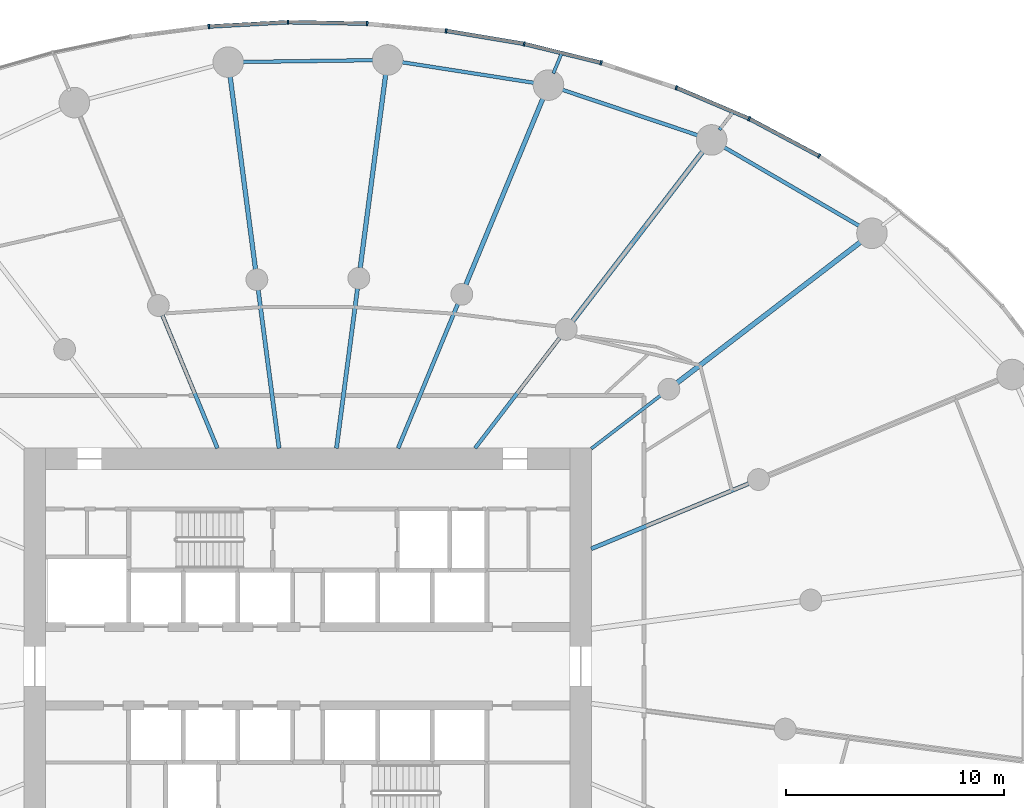
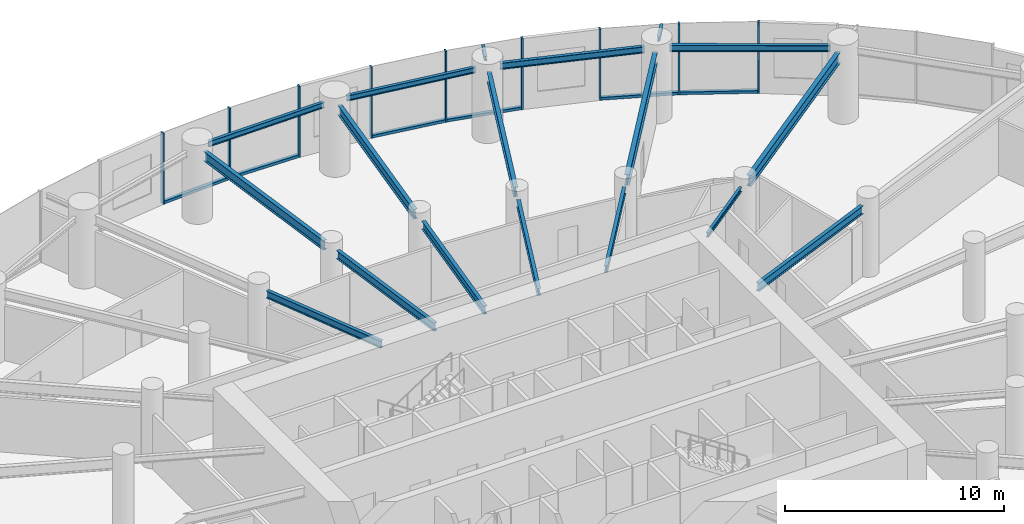
# One storey, part 7 of 19: 18 beams, 15 members, 2 elements without a shape of their own.
"""IFC4 building model written with IfcOpenShell, lengths in metres."""

from ifc_helpers import new_model, si_unit, direction, frame, origin, origin_2d, place, context, subcontext, project, spatial, rectangle, i_section, extrude, source, transform, mapped, material, layer, layer_set, material_profile, profile_set, type_object, element, aggregate, save


model = new_model("IFC4")

# Units and contexts
model_context = context("Model", 3, precision=1e-05, world=origin(), true_north=direction((0.0, 1.0)))
body_context = subcontext(model_context, "Body", "Model", "MODEL_VIEW")
ifc_project = project(units=[si_unit("LENGTHUNIT", "METRE"), si_unit("AREAUNIT", "SQUARE_METRE"), si_unit("VOLUMEUNIT", "CUBIC_METRE"), si_unit("PLANEANGLEUNIT", "RADIAN"), si_unit("MASSUNIT", "GRAM", prefix="KILO")], contexts=[model_context])

# Site, building, storey
site_placement = place(None, origin())
site = spatial("IfcSite", under=ifc_project, at=site_placement, CompositionType="ELEMENT")
building_placement = place(site_placement, origin())
building = spatial("IfcBuilding", under=site, at=building_placement, Name="Spindrift Exchange Tower", CompositionType="ELEMENT")
storey_placement = place(building_placement, frame((0.0, 0.0, 22.60009765625)))
storey = spatial("IfcBuildingStorey", under=building, at=storey_placement, Name="L05", CompositionType="ELEMENT", Elevation=22.60009765625)

# Beams
ifc_material_1 = material(Name="Steel Grade 300", Category="steel")
ifc_material_profile_1 = material_profile(ifc_material_1, i_section(OverallWidth=0.18994140625, OverallDepth=0.45703125, WebThickness=0.009033203125, FlangeThickness=0.014404296875, FilletRadius=0.013916015625, at=origin_2d()), Name="460UB74.6")
ifc_profile_set_1 = profile_set([ifc_material_profile_1], Name="Steel Grade 300")
beam_type_1 = type_object("IfcBeamType", Name="Floor Beam 460UB74.6 Steel Grade 300", PredefinedType="BEAM", material=ifc_profile_set_1)
shared_shape_1 = source(origin(), body_context, "Body", "SweptSolid", [
    extrude(i_section(OverallWidth=0.18994140625, OverallDepth=0.45703125, WebThickness=0.009033203125, FlangeThickness=0.014404296875, FilletRadius=0.013916015625, at=origin_2d()), origin(), (0.0, 0.0, 1.0), 7.808837890625),
])
beam_1_placement = place(storey_placement, frame((64.9814453125, 53.377197265625, 3.721435546875), z_axis=(0.92387965154, 0.382683145003, 0.0), x_axis=(-0.382683145003, 0.92387965154, 0.0)))
element("IfcBeam", 1, at=beam_1_placement, inside=storey, type_object=beam_type_1, Name="L05 radial beam R02A", PredefinedType="BEAM", context=body_context, shape_type="MappedRepresentation", body=[
    mapped(shared_shape_1, transform((0.0, 0.0, 0.0), scale=1.0)),
])
ifc_material_profile_2 = material_profile(ifc_material_1, i_section(OverallWidth=0.14599609375, OverallDepth=0.251953125, WebThickness=0.006103515625, FlangeThickness=0.008544921875, FilletRadius=0.011962890625, at=origin_2d()), Name="250UB31.4")
ifc_profile_set_2 = profile_set([ifc_material_profile_2], Name="Steel Grade 300")
beam_type_2 = type_object("IfcBeamType", Name="Floor Beam 250UB31.4 Steel Grade 300", PredefinedType="BEAM", material=ifc_profile_set_2)
shared_shape_2 = source(origin(), body_context, "Body", "SweptSolid", [
    extrude(i_section(OverallWidth=0.14599609375, OverallDepth=0.251953125, WebThickness=0.006103515625, FlangeThickness=0.008544921875, FilletRadius=0.011962890625, at=origin_2d()), origin(), (0.0, 0.0, 1.0), 3.99560546875),
])
beam_2_placement = place(storey_placement, frame((64.984130859375, 57.963134765625, 3.823974609375), z_axis=(0.793352561574, 0.608762443851, 0.0), x_axis=(-0.608762443851, 0.793352561574, 0.0)))
element("IfcBeam", 2, at=beam_2_placement, inside=storey, type_object=beam_type_2, Name="L05 radial beam R03A", PredefinedType="BEAM", context=body_context, shape_type="MappedRepresentation", body=[
    mapped(shared_shape_2, transform((0.0, 0.0, 0.0), scale=1.0)),
])
ifc_material_profile_3 = material_profile(ifc_material_1, i_section(OverallWidth=0.22802734375, OverallDepth=0.60693359375, WebThickness=0.01123046875, FlangeThickness=0.017333984375, FilletRadius=0.013916015625, at=origin_2d()), Name="610UB113")
ifc_profile_set_3 = profile_set([ifc_material_profile_3], Name="Steel Grade 300")
beam_type_3 = type_object("IfcBeamType", Name="Floor Beam 610UB113 Steel Grade 300", PredefinedType="BEAM", material=ifc_profile_set_3)
shared_shape_3 = source(origin(), body_context, "Body", "SweptSolid", [
    extrude(i_section(OverallWidth=0.22802734375, OverallDepth=0.60693359375, WebThickness=0.01123046875, FlangeThickness=0.017333984375, FilletRadius=0.013916015625, at=origin_2d()), origin(), (0.0, 0.0, 1.0), 10.66357421875),
])
beam_3_placement = place(storey_placement, frame((68.91552734375, 60.979736328125, 3.646484375), z_axis=(0.793357926757, 0.608755451764, 0.0), x_axis=(-0.608755451764, 0.793357926757, 0.0)))
element("IfcBeam", 3, at=beam_3_placement, inside=storey, type_object=beam_type_3, Name="L05 radial beam R03B", PredefinedType="BEAM", context=body_context, shape_type="MappedRepresentation", body=[
    mapped(shared_shape_3, transform((0.0, 0.0, 0.0), scale=1.0)),
])
ifc_material_profile_4 = material_profile(ifc_material_1, i_section(OverallWidth=0.172119140625, OverallDepth=0.35888671875, WebThickness=0.008056640625, FlangeThickness=0.012939453125, FilletRadius=0.013916015625, at=origin_2d()), Name="360UB56.7")
ifc_profile_set_4 = profile_set([ifc_material_profile_4], Name="Steel Grade 300")
beam_type_4 = type_object("IfcBeamType", Name="Floor Beam 360UB56.7 Steel Grade 300", PredefinedType="BEAM", material=ifc_profile_set_4)
shared_shape_4 = source(origin(), body_context, "Body", "SweptSolid", [
    extrude(i_section(OverallWidth=0.172119140625, OverallDepth=0.35888671875, WebThickness=0.008056640625, FlangeThickness=0.012939453125, FilletRadius=0.013916015625, at=origin_2d()), origin(), (0.0, 0.0, 1.0), 6.37646484375),
])
beam_4_placement = place(storey_placement, frame((59.6611328125, 57.984130859375, 3.7705078125), z_axis=(0.608766669952, 0.793349318747, 0.0), x_axis=(-0.793349318747, 0.608766669952, 0.0)))
element("IfcBeam", 4, at=beam_4_placement, inside=storey, type_object=beam_type_4, Name="L05 radial beam R04A", PredefinedType="BEAM", context=body_context, shape_type="MappedRepresentation", body=[
    mapped(shared_shape_4, transform((0.0, 0.0, 0.0), scale=1.0)),
])
shared_shape_5 = source(origin(), body_context, "Body", "SweptSolid", [
    extrude(i_section(OverallWidth=0.22802734375, OverallDepth=0.60693359375, WebThickness=0.01123046875, FlangeThickness=0.017333984375, FilletRadius=0.013916015625, at=origin_2d()), origin(), (0.0, 0.0, 1.0), 9.87548828125),
])
beam_5_placement = place(storey_placement, frame((64.127197265625, 63.8046875, 3.646484375), z_axis=(0.608772470836, 0.793344867477, 0.0), x_axis=(-0.793344867477, 0.608772470836, 0.0)))
element("IfcBeam", 5, at=beam_5_placement, inside=storey, type_object=beam_type_3, Name="L05 radial beam R04B", PredefinedType="BEAM", context=body_context, shape_type="MappedRepresentation", body=[
    mapped(shared_shape_5, transform((0.0, 0.0, 0.0), scale=1.0)),
])
ifc_material_profile_5 = material_profile(ifc_material_1, i_section(OverallWidth=0.177978515625, OverallDepth=0.406005859375, WebThickness=0.0078125, FlangeThickness=0.0126953125, FilletRadius=0.013916015625, at=origin_2d()), Name="410UB59.7")
ifc_profile_set_5 = profile_set([ifc_material_profile_5], Name="Steel Grade 300")
beam_type_5 = type_object("IfcBeamType", Name="Floor Beam 410UB59.7 Steel Grade 300", PredefinedType="BEAM", material=ifc_profile_set_5)
shared_shape_6 = source(origin(), body_context, "Body", "SweptSolid", [
    extrude(i_section(OverallWidth=0.177978515625, OverallDepth=0.406005859375, WebThickness=0.0078125, FlangeThickness=0.0126953125, FilletRadius=0.013916015625, at=origin_2d()), origin(), (0.0, 0.0, 1.0), 7.150634765625),
])
beam_6_placement = place(storey_placement, frame((56.134521484375, 57.9814453125, 3.746826171875), z_axis=(0.382665393358, 0.923887004306, 0.0), x_axis=(-0.923887004306, 0.382665393358, 0.0)))
element("IfcBeam", 6, at=beam_6_placement, inside=storey, type_object=beam_type_5, Name="L05 radial beam R05A", PredefinedType="BEAM", context=body_context, shape_type="MappedRepresentation", body=[
    mapped(shared_shape_6, transform((0.0, 0.0, 0.0), scale=1.0)),
])
ifc_material_profile_6 = material_profile(ifc_material_1, i_section(OverallWidth=0.208984375, OverallDepth=0.532958984375, WebThickness=0.01025390625, FlangeThickness=0.015625, FilletRadius=0.013916015625, at=origin_2d()), Name="530UB92.4")
ifc_profile_set_6 = profile_set([ifc_material_profile_6], Name="Steel Grade 300")
beam_type_6 = type_object("IfcBeamType", Name="Floor Beam 530UB92.4 Steel Grade 300", PredefinedType="BEAM", material=ifc_profile_set_6)
shared_shape_7 = source(origin(), body_context, "Body", "SweptSolid", [
    extrude(i_section(OverallWidth=0.208984375, OverallDepth=0.532958984375, WebThickness=0.01025390625, FlangeThickness=0.015625, FilletRadius=0.013916015625, at=origin_2d()), origin(), (0.0, 0.0, 1.0), 9.309326171875),
])
beam_7_placement = place(storey_placement, frame((59.23828125, 65.474853515625, 3.683349609375), z_axis=(0.382685326691, 0.923878747853, 0.0), x_axis=(-0.923878747853, 0.382685326691, 0.0)))
element("IfcBeam", 7, at=beam_7_placement, inside=storey, type_object=beam_type_6, Name="L05 radial beam R05B", PredefinedType="BEAM", context=body_context, shape_type="MappedRepresentation", body=[
    mapped(shared_shape_7, transform((0.0, 0.0, 0.0), scale=1.0)),
])
shared_shape_8 = source(origin(), body_context, "Body", "SweptSolid", [
    extrude(i_section(OverallWidth=0.18994140625, OverallDepth=0.45703125, WebThickness=0.009033203125, FlangeThickness=0.014404296875, FilletRadius=0.013916015625, at=origin_2d()), origin(), (0.0, 0.0, 1.0), 7.374267578125),
])
beam_8_placement = place(storey_placement, frame((53.31396484375, 57.980224609375, 3.721435546875), z_axis=(0.130539295622, 0.99144313619, 0.0), x_axis=(-0.99144313619, 0.130539295622, 0.0)))
element("IfcBeam", 8, at=beam_8_placement, inside=storey, type_object=beam_type_1, Name="L05 radial beam R06A", PredefinedType="BEAM", context=body_context, shape_type="MappedRepresentation", body=[
    mapped(shared_shape_8, transform((0.0, 0.0, 0.0), scale=1.0)),
])
shared_shape_9 = source(origin(), body_context, "Body", "SweptSolid", [
    extrude(i_section(OverallWidth=0.208984375, OverallDepth=0.532958984375, WebThickness=0.01025390625, FlangeThickness=0.015625, FilletRadius=0.013916015625, at=origin_2d()), origin(), (0.0, 0.0, 1.0), 9.020263671875),
])
beam_9_placement = place(storey_placement, frame((54.40185546875, 66.2431640625, 3.683349609375), z_axis=(0.13051122338, 0.991446831944, 0.0), x_axis=(-0.991446831944, 0.13051122338, 0.0)))
element("IfcBeam", 9, at=beam_9_placement, inside=storey, type_object=beam_type_6, Name="L05 radial beam R06B", PredefinedType="BEAM", context=body_context, shape_type="MappedRepresentation", body=[
    mapped(shared_shape_9, transform((0.0, 0.0, 0.0), scale=1.0)),
])
shared_shape_10 = source(origin(), body_context, "Body", "SweptSolid", [
    extrude(i_section(OverallWidth=0.18994140625, OverallDepth=0.45703125, WebThickness=0.009033203125, FlangeThickness=0.014404296875, FilletRadius=0.013916015625, at=origin_2d()), origin(), (0.0, 0.0, 1.0), 7.3095703125),
])
beam_10_placement = place(storey_placement, frame((50.68603515625, 57.980224609375, 3.721435546875), z_axis=(-0.130527087244, 0.991444743541, 0.0), x_axis=(-0.991444743541, -0.130527087244, 0.0)))
element("IfcBeam", 10, at=beam_10_placement, inside=storey, type_object=beam_type_1, Name="L05 radial beam R07A", PredefinedType="BEAM", context=body_context, shape_type="MappedRepresentation", body=[
    mapped(shared_shape_10, transform((0.0, 0.0, 0.0), scale=1.0)),
])
shared_shape_11 = source(origin(), body_context, "Body", "SweptSolid", [
    extrude(i_section(OverallWidth=0.208984375, OverallDepth=0.532958984375, WebThickness=0.01025390625, FlangeThickness=0.015625, FilletRadius=0.013916015625, at=origin_2d()), origin(), (0.0, 0.0, 1.0), 8.98388671875),
])
beam_11_placement = place(storey_placement, frame((49.606689453125, 66.17919921875, 3.683349609375), z_axis=(-0.130524106785, 0.991445135924, 0.0), x_axis=(-0.991445135924, -0.130524106785, 0.0)))
element("IfcBeam", 11, at=beam_11_placement, inside=storey, type_object=beam_type_6, Name="L05 radial beam R07B", PredefinedType="BEAM", context=body_context, shape_type="MappedRepresentation", body=[
    mapped(shared_shape_11, transform((0.0, 0.0, 0.0), scale=1.0)),
])
shared_shape_12 = source(origin(), body_context, "Body", "SweptSolid", [
    extrude(i_section(OverallWidth=0.177978515625, OverallDepth=0.406005859375, WebThickness=0.0078125, FlangeThickness=0.0126953125, FilletRadius=0.013916015625, at=origin_2d()), origin(), (0.0, 0.0, 1.0), 6.594482421875),
])
beam_12_placement = place(storey_placement, frame((47.865478515625, 57.9814453125, 3.746826171875), z_axis=(-0.382692929746, 0.92387559851, 0.0), x_axis=(-0.92387559851, -0.382692929746, 0.0)))
element("IfcBeam", 12, at=beam_12_placement, inside=storey, type_object=beam_type_5, Name="L05 radial beam R08A", PredefinedType="BEAM", context=body_context, shape_type="MappedRepresentation", body=[
    mapped(shared_shape_12, transform((0.0, 0.0, 0.0), scale=1.0)),
])
ifc_material_profile_7 = material_profile(ifc_material_1, i_section(OverallWidth=0.172119140625, OverallDepth=0.35888671875, WebThickness=0.008056640625, FlangeThickness=0.012939453125, FilletRadius=0.013916015625, at=origin_2d()), Name="360UB56.7")
ifc_profile_set_7 = profile_set([ifc_material_profile_7], Name="Steel Grade 300")
beam_type_7 = type_object("IfcBeamType", Name="Edge Beam 360UB56.7 Steel Grade 300", PredefinedType="SPANDREL", material=ifc_profile_set_7)
shared_shape_13 = source(origin(), body_context, "Body", "SweptSolid", [
    extrude(i_section(OverallWidth=0.172119140625, OverallDepth=0.35888671875, WebThickness=0.008056640625, FlangeThickness=0.012939453125, FilletRadius=0.013916015625, at=origin_2d()), origin(), (0.0, 0.0, 1.0), 7.33740234375),
])
beam_13_placement = place(storey_placement, frame((77.33447265625, 68.1162109375, 3.7705078125), z_axis=(-0.864211826308, 0.503128134047, 0.0), x_axis=(-0.503128134047, -0.864211826308, 0.0)))
element("IfcBeam", 13, at=beam_13_placement, inside=storey, type_object=beam_type_7, Name="L05 edge beam E03", PredefinedType="SPANDREL", context=body_context, shape_type="MappedRepresentation", body=[
    mapped(shared_shape_13, transform((0.0, 0.0, 0.0), scale=1.0)),
])
shared_shape_14 = source(origin(), body_context, "Body", "SweptSolid", [
    extrude(i_section(OverallWidth=0.172119140625, OverallDepth=0.35888671875, WebThickness=0.008056640625, FlangeThickness=0.012939453125, FilletRadius=0.013916015625, at=origin_2d()), origin(), (0.0, 0.0, 1.0), 6.72021484375),
])
beam_14_placement = place(storey_placement, frame((69.9423828125, 72.28466796875, 3.7705078125), z_axis=(-0.947851749681, 0.318711563372, 0.0), x_axis=(-0.318711563372, -0.947851749681, 0.0)))
element("IfcBeam", 14, at=beam_14_placement, inside=storey, type_object=beam_type_7, Name="L05 edge beam E04", PredefinedType="SPANDREL", context=body_context, shape_type="MappedRepresentation", body=[
    mapped(shared_shape_14, transform((0.0, 0.0, 0.0), scale=1.0)),
])
ifc_material_profile_8 = material_profile(ifc_material_1, i_section(OverallWidth=0.1650390625, OverallDepth=0.303955078125, WebThickness=0.006103515625, FlangeThickness=0.01025390625, FilletRadius=0.011474609375, at=origin_2d()), Name="310UB40.4")
ifc_profile_set_8 = profile_set([ifc_material_profile_8], Name="Steel Grade 300")
beam_type_8 = type_object("IfcBeamType", Name="Edge Beam 310UB40.4 Steel Grade 300", PredefinedType="SPANDREL", material=ifc_profile_set_8)
shared_shape_15 = source(origin(), body_context, "Body", "SweptSolid", [
    extrude(i_section(OverallWidth=0.1650390625, OverallDepth=0.303955078125, WebThickness=0.006103515625, FlangeThickness=0.01025390625, FilletRadius=0.011474609375, at=origin_2d()), origin(), (0.0, 0.0, 1.0), 6.297119140625),
])
beam_15_placement = place(storey_placement, frame((62.44970703125, 74.70068359375, 3.7978515625), z_axis=(-0.98802902915, 0.154268070436, 0.0), x_axis=(-0.154268070436, -0.98802902915, 0.0)))
element("IfcBeam", 15, at=beam_15_placement, inside=storey, type_object=beam_type_8, Name="L05 edge beam E05", PredefinedType="SPANDREL", context=body_context, shape_type="MappedRepresentation", body=[
    mapped(shared_shape_15, transform((0.0, 0.0, 0.0), scale=1.0)),
])
shared_shape_16 = source(origin(), body_context, "Body", "SweptSolid", [
    extrude(i_section(OverallWidth=0.1650390625, OverallDepth=0.303955078125, WebThickness=0.006103515625, FlangeThickness=0.01025390625, FilletRadius=0.011474609375, at=origin_2d()), origin(), (0.0, 0.0, 1.0), 6.13720703125),
])
beam_16_placement = place(storey_placement, frame((55.074951171875, 75.75341796875, 3.7978515625), z_axis=(-0.999905820907, -0.013724041543, 0.0), x_axis=(0.013724041543, -0.999905820907, 0.0)))
element("IfcBeam", 16, at=beam_16_placement, inside=storey, type_object=beam_type_8, Name="L05 edge beam E06", PredefinedType="SPANDREL", context=body_context, shape_type="MappedRepresentation", body=[
    mapped(shared_shape_16, transform((0.0, 0.0, 0.0), scale=1.0)),
])
ifc_material_profile_9 = material_profile(ifc_material_1, i_section(OverallWidth=0.14599609375, OverallDepth=0.251953125, WebThickness=0.006103515625, FlangeThickness=0.008544921875, FilletRadius=0.011962890625, at=origin_2d()), Name="250UB31.4")
ifc_profile_set_9 = profile_set([ifc_material_profile_9], Name="Steel Grade 300")
beam_type_9 = type_object("IfcBeamType", Name="Cantilever Beam 250UB31.4 Steel Grade 300", PredefinedType="BEAM", material=ifc_profile_set_9)
shared_shape_17 = source(origin(), body_context, "Body", "SweptSolid", [
    extrude(i_section(OverallWidth=0.14599609375, OverallDepth=0.251953125, WebThickness=0.006103515625, FlangeThickness=0.008544921875, FilletRadius=0.011962890625, at=origin_2d()), origin(), (0.0, 0.0, 1.0), 1.085205078125),
])
beam_17_placement = place(storey_placement, frame((70.845458984375, 72.559814453125, 3.823974609375), z_axis=(0.608710133529, 0.793392698063, 0.0), x_axis=(-0.793392698063, 0.608710133529, 0.0)))
element("IfcBeam", 17, at=beam_17_placement, inside=storey, type_object=beam_type_9, Name="L05 cantilever beam R04T", PredefinedType="BEAM", context=body_context, shape_type="MappedRepresentation", body=[
    mapped(shared_shape_17, transform((0.0, 0.0, 0.0), scale=1.0)),
])
shared_shape_18 = source(origin(), body_context, "Body", "SweptSolid", [
    extrude(i_section(OverallWidth=0.14599609375, OverallDepth=0.251953125, WebThickness=0.006103515625, FlangeThickness=0.008544921875, FilletRadius=0.011962890625, at=origin_2d()), origin(), (0.0, 0.0, 1.0), 0.9697265625),
])
beam_18_placement = place(storey_placement, frame((63.244873046875, 75.147216796875, 3.823974609375), z_axis=(0.382433327803, 0.923983089556, 0.0), x_axis=(-0.923983089556, 0.382433327803, 0.0)))
element("IfcBeam", 18, at=beam_18_placement, inside=storey, type_object=beam_type_9, Name="L05 cantilever beam R05T", PredefinedType="BEAM", context=body_context, shape_type="MappedRepresentation", body=[
    mapped(shared_shape_18, transform((0.0, 0.0, 0.0), scale=1.0)),
])

# Curtain wall, members
ifc_material_2 = material(Name="Fritted laminated glass with bronze frame", Category="glass")
ifc_layer = layer(ifc_material_2, 0.199951171875)
ifc_layer_set = layer_set([ifc_layer], Name="ZONE 1 BRONZE FRITTED WALL")
curtain_wall_type = type_object("IfcCurtainWallType", Name="ZONE 1 BRONZE FRITTED WALL", PredefinedType="NOTDEFINED", material=ifc_layer_set)
curtain_wall_1_placement = place(storey_placement, origin())
curtain_wall_1 = element("IfcCurtainWall", 19, at=curtain_wall_1_placement, inside=storey, type_object=curtain_wall_type, Name="L05 Zone 1 Bronze Fritted Wall run 2", PredefinedType="NOTDEFINED")
ifc_material_3 = material(Name="Bronze anodised aluminium", Category="aluminium")
ifc_material_profile_10 = material_profile(ifc_material_3, rectangle(XDim=0.080078125, YDim=0.199951171875, at=origin_2d()), Name="ZONE 1 BRONZE FRITTED WALL MULLION 80X200")
ifc_profile_set_10 = profile_set([ifc_material_profile_10], Name="Bronze anodised aluminium")
member_type_1 = type_object("IfcMemberType", Name="ZONE 1 BRONZE FRITTED WALL MULLION 80X200", PredefinedType="MULLION", material=ifc_profile_set_10)
shared_shape_19 = source(origin(), body_context, "Body", "SweptSolid", [
    extrude(rectangle(XDim=0.080078125, YDim=0.199951171875, at=origin_2d()), origin(), (0.0, 0.0, 1.0), 3.949951171875),
])
member_1_placement = place(storey_placement, frame((75.41357421875, 71.364013671875, 0.0), z_axis=(0.0, 0.0, 1.0), x_axis=(-0.859576504333, 0.511007077445, 0.0)))
member_1 = element("IfcMember", 20, at=member_1_placement, type_object=member_type_1, Name="L05 mullion CW-1.9", PredefinedType="MULLION", context=body_context, shape_type="MappedRepresentation", body=[
    mapped(shared_shape_19, transform((0.0, 0.0, 0.0), scale=1.0)),
])
member_2_placement = place(storey_placement, frame((72.212890625, 73.06982421875, 0.0), z_axis=(0.0, 0.0, 1.0), x_axis=(-0.902161476757, 0.431398504697, 0.0)))
member_2 = element("IfcMember", 21, at=member_2_placement, type_object=member_type_1, Name="L05 mullion CW-1.10", PredefinedType="MULLION", context=body_context, shape_type="MappedRepresentation", body=[
    mapped(shared_shape_19, transform((0.0, 0.0, 0.0), scale=1.0)),
])
member_3_placement = place(storey_placement, frame((68.87548828125, 74.490478515625, 0.0), z_axis=(0.0, 0.0, 1.0), x_axis=(-0.935479053245, 0.353382145757, 0.0)))
member_3 = element("IfcMember", 22, at=member_3_placement, type_object=member_type_1, Name="L05 mullion CW-1.11", PredefinedType="MULLION", context=body_context, shape_type="MappedRepresentation", body=[
    mapped(shared_shape_19, transform((0.0, 0.0, 0.0), scale=1.0)),
])
member_4_placement = place(storey_placement, frame((65.43212890625, 75.63134765625, 0.0), z_axis=(0.0, 0.0, 1.0), x_axis=(-0.960884228784, 0.276950354529, 0.0)))
member_4 = element("IfcMember", 23, at=member_4_placement, type_object=member_type_1, Name="L05 mullion CW-1.12", PredefinedType="MULLION", context=body_context, shape_type="MappedRepresentation", body=[
    mapped(shared_shape_19, transform((0.0, 0.0, 0.0), scale=1.0)),
])

curtain_wall_2_placement = place(storey_placement, origin())
curtain_wall_2 = element("IfcCurtainWall", 24, at=curtain_wall_2_placement, inside=storey, type_object=curtain_wall_type, Name="L05 Zone 1 Bronze Fritted Wall run 3", PredefinedType="NOTDEFINED")
member_5_placement = place(storey_placement, frame((61.909912109375, 76.498046875, 0.0), z_axis=(0.0, 0.0, 1.0), x_axis=(-0.979401994685, 0.201920114915, 0.0)))
member_5 = element("IfcMember", 25, at=member_5_placement, type_object=member_type_1, Name="L05 mullion CW-1.13", PredefinedType="MULLION", context=body_context, shape_type="MappedRepresentation", body=[
    mapped(shared_shape_19, transform((0.0, 0.0, 0.0), scale=1.0)),
])
member_6_placement = place(storey_placement, frame((58.33203125, 77.09521484375, 0.0), z_axis=(0.0, 0.0, 1.0), x_axis=(-0.991779042534, 0.127962224075, 0.0)))
member_6 = element("IfcMember", 26, at=member_6_placement, type_object=member_type_1, Name="L05 mullion CW-1.14", PredefinedType="MULLION", context=body_context, shape_type="MappedRepresentation", body=[
    mapped(shared_shape_19, transform((0.0, 0.0, 0.0), scale=1.0)),
])
member_7_placement = place(storey_placement, frame((54.7197265625, 77.42578125, 0.0), z_axis=(0.0, 0.0, 1.0), x_axis=(-0.998502626093, 0.054703799552, 0.0)))
member_7 = element("IfcMember", 27, at=member_7_placement, type_object=member_type_1, Name="L05 mullion CW-1.15", PredefinedType="MULLION", context=body_context, shape_type="MappedRepresentation", body=[
    mapped(shared_shape_19, transform((0.0, 0.0, 0.0), scale=1.0)),
])
member_8_placement = place(storey_placement, frame((51.093017578125, 77.49169921875, 0.0), z_axis=(0.0, 0.0, 1.0), x_axis=(-0.999833990796, -0.018220616052, 0.0)))
member_8 = element("IfcMember", 28, at=member_8_placement, type_object=member_type_1, Name="L05 mullion CW-1.16", PredefinedType="MULLION", context=body_context, shape_type="MappedRepresentation", body=[
    mapped(shared_shape_19, transform((0.0, 0.0, 0.0), scale=1.0)),
])
member_9_placement = place(storey_placement, frame((47.470947265625, 77.293701171875, 0.0), z_axis=(0.0, 0.0, 1.0), x_axis=(-0.995826086123, -0.09127105892, 0.0)))
member_9 = element("IfcMember", 29, at=member_9_placement, type_object=member_type_1, Name="L05 mullion CW-1.17", PredefinedType="MULLION", context=body_context, shape_type="MappedRepresentation", body=[
    mapped(shared_shape_19, transform((0.0, 0.0, 0.0), scale=1.0)),
])

# Member
ifc_material_profile_11 = material_profile(ifc_material_3, rectangle(XDim=0.179931640625, YDim=0.14990234375, at=origin_2d()), Name="ZONE 1 BRONZE FRITTED WALL TRANSOM 180X150")
ifc_profile_set_11 = profile_set([ifc_material_profile_11], Name="Bronze anodised aluminium")
member_type_2 = type_object("IfcMemberType", Name="ZONE 1 BRONZE FRITTED WALL TRANSOM 180X150", PredefinedType="USERDEFINED", material=ifc_profile_set_11)
shared_shape_20 = source(origin(), body_context, "Body", "SweptSolid", [
    extrude(rectangle(XDim=0.179931640625, YDim=0.14990234375, at=origin_2d()), origin(), (0.0, 0.0, 1.0), 3.546875),
])
member_10_placement = place(storey_placement, frame((75.378173828125, 71.3828125, 0.074951171875), z_axis=(-0.882491995187, 0.470327416201, 0.0), x_axis=(-0.470327416201, -0.882491995187, 0.0)))
member_10 = element("IfcMember", 30, at=member_10_placement, type_object=member_type_2, Name="L05 transom CW-1.9", ObjectType="TRANSOM", PredefinedType="USERDEFINED", context=body_context, shape_type="MappedRepresentation", body=[
    mapped(shared_shape_20, transform((0.0, 0.0, 0.0), scale=1.0)),
])

shared_shape_21 = source(origin(), body_context, "Body", "SweptSolid", [
    extrude(rectangle(XDim=0.179931640625, YDim=0.14990234375, at=origin_2d()), origin(), (0.0, 0.0, 1.0), 3.54736328125),
])
member_11_placement = place(storey_placement, frame((72.176025390625, 73.08544921875, 0.074951171875), z_axis=(-0.920103451881, 0.39167542409, 0.0), x_axis=(-0.39167542409, -0.920103451881, 0.0)))
member_11 = element("IfcMember", 31, at=member_11_placement, type_object=member_type_2, Name="L05 transom CW-1.10", ObjectType="TRANSOM", PredefinedType="USERDEFINED", context=body_context, shape_type="MappedRepresentation", body=[
    mapped(shared_shape_21, transform((0.0, 0.0, 0.0), scale=1.0)),
])

member_12_placement = place(storey_placement, frame((65.393310546875, 75.640869140625, 0.074951171875), z_axis=(-0.971030604405, 0.238955153341, 0.0), x_axis=(-0.238955153341, -0.971030604405, 0.0)))
member_12 = element("IfcMember", 32, at=member_12_placement, type_object=member_type_2, Name="L05 transom CW-1.12", ObjectType="TRANSOM", PredefinedType="USERDEFINED", context=body_context, shape_type="MappedRepresentation", body=[
    mapped(shared_shape_21, transform((0.0, 0.0, 0.0), scale=1.0)),
])

aggregate(curtain_wall_1, [member_1, member_10, member_2, member_11, member_3, member_4, member_12])

member_13_placement = place(storey_placement, frame((61.87060546875, 76.504638671875, 0.074951171875), z_axis=(-0.986356697505, 0.164622189536, 0.0), x_axis=(-0.164622189536, -0.986356697505, 0.0)))
member_13 = element("IfcMember", 33, at=member_13_placement, type_object=member_type_2, Name="L05 transom CW-1.13", ObjectType="TRANSOM", PredefinedType="USERDEFINED", context=body_context, shape_type="MappedRepresentation", body=[
    mapped(shared_shape_21, transform((0.0, 0.0, 0.0), scale=1.0)),
])

member_14_placement = place(storey_placement, frame((51.052978515625, 77.489501953125, 0.074951171875), z_axis=(-0.99850950861, -0.054578028696, 0.0), x_axis=(0.054578028696, -0.99850950861, 0.0)))
member_14 = element("IfcMember", 34, at=member_14_placement, type_object=member_type_2, Name="L05 transom CW-1.16", ObjectType="TRANSOM", PredefinedType="USERDEFINED", context=body_context, shape_type="MappedRepresentation", body=[
    mapped(shared_shape_21, transform((0.0, 0.0, 0.0), scale=1.0)),
])

shared_shape_22 = source(origin(), body_context, "Body", "SweptSolid", [
    extrude(rectangle(XDim=0.179931640625, YDim=0.14990234375, at=origin_2d()), origin(), (0.0, 0.0, 1.0), 3.547119140625),
])
member_15_placement = place(storey_placement, frame((54.6796875, 77.426513671875, 0.074951171875), z_axis=(-0.999834910889, 0.018170056892, 0.0), x_axis=(-0.018170056892, -0.999834910889, 0.0)))
member_15 = element("IfcMember", 35, at=member_15_placement, type_object=member_type_2, Name="L05 transom CW-1.15", ObjectType="TRANSOM", PredefinedType="USERDEFINED", context=body_context, shape_type="MappedRepresentation", body=[
    mapped(shared_shape_22, transform((0.0, 0.0, 0.0), scale=1.0)),
])

aggregate(curtain_wall_2, [member_5, member_13, member_6, member_7, member_15, member_8, member_14, member_9])

save(model, "model.ifc")
